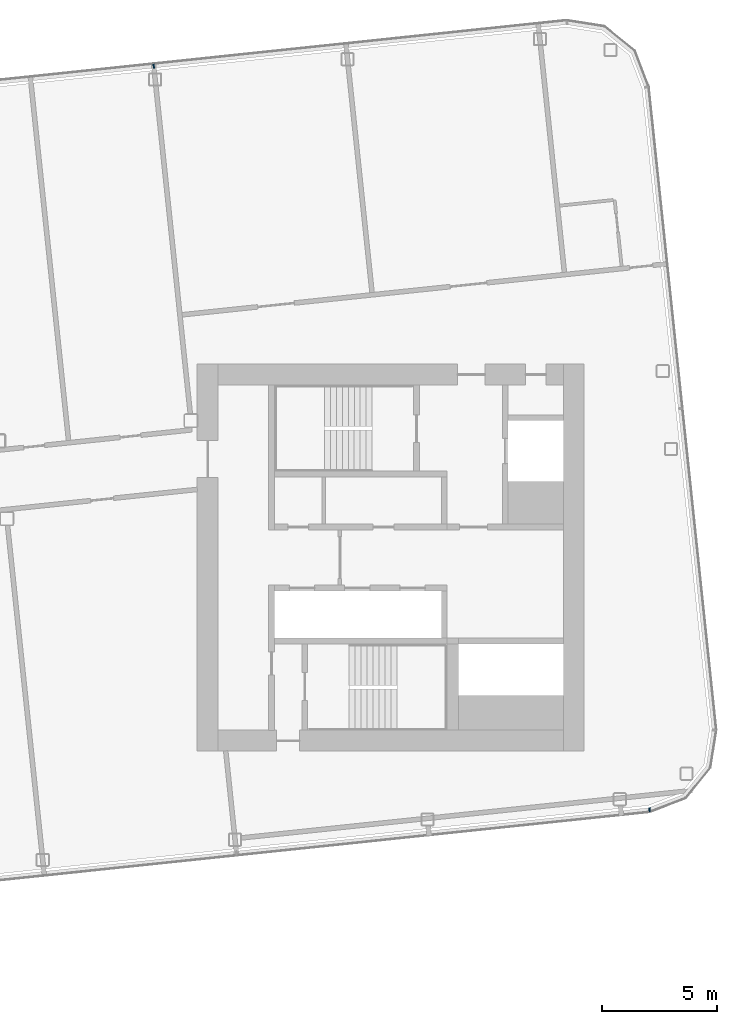
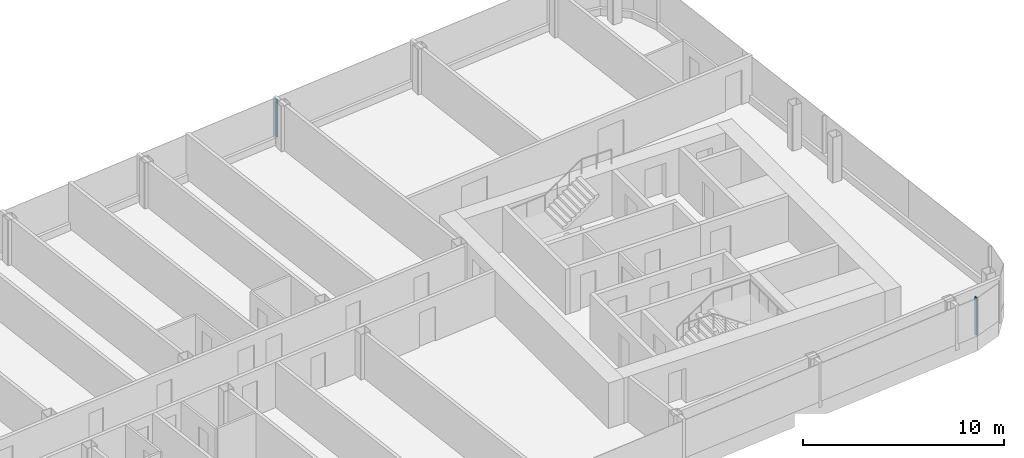
# One storey, part 11 of 27: 2 members, 2 elements without a shape of their own.
"""IFC4 building model written with IfcOpenShell, lengths in metres."""

import ifcopenshell
import ifcopenshell.guid

model = None  # the IFC model being written
_history = None  # IfcOwnerHistory: only IFC2X3 demands one
_inside = {}  # id of a spatial element -> (the spatial element, [elements in it])
_under = {}  # id of a project, library or spatial element -> (it, [spatial elements below it])
_declared = {}  # id of a project -> (the project, [libraries it declares])
_typed = {}  # id of a type object -> (the type object, [elements of that type])
_made_of = {}  # id of a material, layer set ... -> (it, [elements and type objects made of it])


def new_model(schema):
    """Start an empty IFC model of exactly this schema.

    Asked for "IFC4X3", IfcOpenShell would pick the latest addendum, in which some entities
    have other attributes; the version numbers below select the first issue.
    IFC2X3 requires an IfcOwnerHistory on every rooted entity: one is made here for all.
    """
    global model, _history
    if schema == "IFC4X3":
        model = ifcopenshell.file(schema_version=(4, 3, 0, 0))
    else:
        model = ifcopenshell.file(schema=schema)
    _inside.clear()
    _under.clear()
    _declared.clear()
    _typed.clear()
    _made_of.clear()
    _history = None
    if model.schema == "IFC2X3":
        org = make("IfcOrganization", Name="unknown")
        user = make(
            "IfcPersonAndOrganization",
            ThePerson=make("IfcPerson", FamilyName="unknown"),
            TheOrganization=org,
        )
        app = make(
            "IfcApplication",
            ApplicationDeveloper=org,
            Version="unknown",
            ApplicationFullName="unknown",
            ApplicationIdentifier="unknown",
        )
        _history = make(
            "IfcOwnerHistory",
            OwningUser=user,
            OwningApplication=app,
            ChangeAction="ADDED",
            CreationDate=0,
        )
    return model


def make(cls, **values):
    """One entity of the class cls with the attributes given. An attribute that is None is left unset."""
    return model.create_entity(
        cls, **{name: value for name, value in values.items() if value is not None}
    )


def rooted(cls, **values):
    """An entity with a GlobalId (a new one), such as an element, a storey or a relation."""
    return make(cls, GlobalId=ifcopenshell.guid.new(), OwnerHistory=_history, **values)


def si_unit(unit_type, name, prefix=None):
    """IfcSIUnit, for example si_unit("LENGTHUNIT", "METRE", prefix="MILLI")."""
    return make("IfcSIUnit", UnitType=unit_type, Prefix=prefix, Name=name)


def assignment(units):
    """IfcUnitAssignment: the units of a project."""
    return None if units is None else make("IfcUnitAssignment", Units=units)


def point(xyz):
    """IfcCartesianPoint."""
    return None if xyz is None else make("IfcCartesianPoint", Coordinates=xyz)


def direction(xyz):
    """IfcDirection."""
    return None if xyz is None else make("IfcDirection", DirectionRatios=xyz)


def frame(location, z_axis=None, x_axis=None):
    """IfcAxis2Placement3D, a coordinate frame: its origin and axes. An axis left out is left unset."""
    return make(
        "IfcAxis2Placement3D",
        Location=point(location),
        Axis=direction(z_axis),
        RefDirection=direction(x_axis),
    )


def frame_2d(location, x_axis=None):
    """IfcAxis2Placement2D, a coordinate frame in the plane: its origin and x axis."""
    return make(
        "IfcAxis2Placement2D", Location=point(location), RefDirection=direction(x_axis)
    )


def origin():
    """The frame at (0, 0, 0) with its axes left unset."""
    return frame((0.0, 0.0, 0.0))


def origin_2d():
    """The frame at (0, 0) in the plane with its x axis left unset."""
    return frame_2d((0.0, 0.0))


def place(relative_to, where):
    """IfcLocalPlacement: puts the frame where relative to a parent placement (None: the world)."""
    return make(
        "IfcLocalPlacement", PlacementRelTo=relative_to, RelativePlacement=where
    )


def context(
    kind, dimensions, precision=None, world=None, true_north=None, identifier=None
):
    """IfcGeometricRepresentationContext, for example the 3D "Model" context."""
    return make(
        "IfcGeometricRepresentationContext",
        ContextIdentifier=identifier,
        ContextType=kind,
        CoordinateSpaceDimension=dimensions,
        Precision=precision,
        WorldCoordinateSystem=world,
        TrueNorth=true_north,
    )


def subcontext(parent, identifier, kind, view, scale=None):
    """IfcGeometricRepresentationSubContext, for example "Body" below "Model"."""
    return make(
        "IfcGeometricRepresentationSubContext",
        ContextIdentifier=identifier,
        ContextType=kind,
        ParentContext=parent,
        TargetScale=scale,
        TargetView=view,
    )


def project(units=None, contexts=None):
    """IfcProject with its units and contexts."""
    return rooted(
        "IfcProject",
        Name="project",
        RepresentationContexts=contexts,
        UnitsInContext=assignment(units),
    )


def spatial(cls, under=None, at=None, **own):
    """A site, building, storey or space (cls), placed at a placement, below another one or the project."""
    s = rooted(cls, ObjectPlacement=at, **own)
    if under is not None:
        _under.setdefault(under.id(), (under, []))[1].append(s)
    return s


def profile(cls, at=None, kind="AREA", **sizes):
    """A parametric profile (cls). Its sizes go by their IFC names, for example OverallWidth=200.0."""
    return make(cls, ProfileType=kind, Position=at, **sizes)


def rectangle(**sizes):
    """IfcRectangleProfileDef."""
    return profile("IfcRectangleProfileDef", **sizes)


def extrude(swept, where, along, depth):
    """IfcExtrudedAreaSolid: the profile swept, set in the frame where, extruded along a direction by depth."""
    return make(
        "IfcExtrudedAreaSolid",
        SweptArea=swept,
        Position=where,
        ExtrudedDirection=direction(along),
        Depth=depth,
    )


def shape(context_of_items, identifier, shape_type, items):
    """IfcShapeRepresentation: the items that make up one representation, for example the "Body"."""
    return make(
        "IfcShapeRepresentation",
        ContextOfItems=context_of_items,
        RepresentationIdentifier=identifier,
        RepresentationType=shape_type,
        Items=items,
    )


def material(Name=None, Category=None):
    """IfcMaterial."""
    return make("IfcMaterial", Name=Name, Category=Category)


def layer(
    of_material, thickness, ventilated=None, Name=None, Category=None, Priority=None
):
    """IfcMaterialLayer: one layer of a wall or slab, of a material (None: an air gap)."""
    return make(
        "IfcMaterialLayer",
        Material=of_material,
        LayerThickness=thickness,
        IsVentilated=ventilated,
        Name=Name,
        Category=Category,
        Priority=Priority,
    )


def layer_set(layers, Name=None):
    """IfcMaterialLayerSet."""
    return make("IfcMaterialLayerSet", MaterialLayers=layers, LayerSetName=Name)


def material_profile(
    of_material, cross_section, Name=None, Category=None, Priority=None
):
    """IfcMaterialProfile: a cross section and its material."""
    return make(
        "IfcMaterialProfile",
        Name=Name,
        Material=of_material,
        Profile=cross_section,
        Priority=Priority,
        Category=Category,
    )


def profile_set(profiles, Name=None, composite=None):
    """IfcMaterialProfileSet."""
    return make(
        "IfcMaterialProfileSet",
        Name=Name,
        MaterialProfiles=profiles,
        CompositeProfile=composite,
    )


def made_of(thing, what):
    """Note that an element or type object is made of a material, layer set ...; save() writes the relation."""
    if what is not None:
        _made_of.setdefault(what.id(), (what, []))[1].append(thing)
    return thing


def type_object(cls, material=None, **own):
    """A type object (cls), such as IfcWallType, which elements share."""
    return made_of(rooted(cls, **own), material)


def element(
    cls,
    number,
    at=None,
    inside=None,
    cuts=None,
    type_object=None,
    material=None,
    context=None,
    identifier="Body",
    shape_type=None,
    held_by="IfcProductDefinitionShape",
    body=None,
    shapes=None,
    **own,
):
    """One element of the class cls, such as IfcWall. Its Tag is "e" and its number.

    at: its placement. inside: the storey or other place that contains it. cuts: it is an
    opening in that element (IfcRelVoidsElement). A single representation is given by context,
    identifier, shape_type and body (its items); several are given by shapes. held_by: the class
    of the entity that holds the representations. save() writes the other relations.
    """
    e = rooted(cls, Tag="e%d" % number, ObjectPlacement=at, **own)
    if body is not None:
        shapes = [shape(context, identifier, shape_type, body)]
    if shapes is not None:
        e.Representation = make(held_by, Representations=shapes)
    if inside is not None:
        _inside.setdefault(inside.id(), (inside, []))[1].append(e)
    if cuts is not None:
        rooted(
            "IfcRelVoidsElement", RelatingBuildingElement=cuts, RelatedOpeningElement=e
        )
    if type_object is not None:
        _typed.setdefault(type_object.id(), (type_object, []))[1].append(e)
    return made_of(e, material)


def aggregate(whole, parts):
    """IfcRelAggregates: a whole, such as a stair, and the parts it consists of."""
    return rooted("IfcRelAggregates", RelatingObject=whole, RelatedObjects=parts)


def save(model, path):
    """Write the relations noted so far, then the file.

    IfcRelAggregates (storeys below a building ...), IfcRelContainedInSpatialStructure (elements
    in a storey), IfcRelDefinesByType, IfcRelAssociatesMaterial and IfcRelDeclares: one each for
    every whole, place, type object, material and project.
    """
    for whole, parts in _under.values():
        aggregate(whole, parts)
    for where, things in _inside.values():
        rooted(
            "IfcRelContainedInSpatialStructure",
            RelatedElements=things,
            RelatingStructure=where,
        )
    for kind, things in _typed.values():
        rooted("IfcRelDefinesByType", RelatedObjects=things, RelatingType=kind)
    for what, things in _made_of.values():
        rooted("IfcRelAssociatesMaterial", RelatedObjects=things, RelatingMaterial=what)
    for by, libraries in _declared.values():
        rooted("IfcRelDeclares", RelatingContext=by, RelatedDefinitions=libraries)
    model.write(path)


model = new_model("IFC4")

# Units and contexts
model_context = context("Model", 3, precision=1e-05, world=origin(), true_north=direction((0.0, 1.0)))
body_context = subcontext(model_context, "Body", "Model", "MODEL_VIEW")
ifc_project = project(units=[si_unit("LENGTHUNIT", "METRE"), si_unit("AREAUNIT", "SQUARE_METRE"), si_unit("VOLUMEUNIT", "CUBIC_METRE"), si_unit("PLANEANGLEUNIT", "RADIAN"), si_unit("MASSUNIT", "GRAM", prefix="KILO")], contexts=[model_context])

# Site, building, storey
site_placement = place(None, origin())
site = spatial("IfcSite", under=ifc_project, at=site_placement, CompositionType="ELEMENT")
building_placement = place(site_placement, origin())
building = spatial("IfcBuilding", under=site, at=building_placement, Name="Hakoniwa Tower and Hamabe Station Hall", CompositionType="ELEMENT")
storey_placement = place(building_placement, frame((0.0, 0.0, 255.0)))
storey = spatial("IfcBuildingStorey", under=building, at=storey_placement, Name="L72", CompositionType="ELEMENT", Elevation=255.0)

# Curtain wall, member
ifc_material_1 = material(Name="Dark low-e laminated glass", Category="glass")
ifc_layer = layer(ifc_material_1, 0.199951171875)
ifc_layer_set = layer_set([ifc_layer], Name="CW-1 UNITISED GUEST")
curtain_wall_type = type_object("IfcCurtainWallType", Name="CW-1 UNITISED GUEST", PredefinedType="NOTDEFINED", material=ifc_layer_set)
curtain_wall_1_placement = place(storey_placement, origin())
curtain_wall_1 = element("IfcCurtainWall", 1, at=curtain_wall_1_placement, inside=storey, type_object=curtain_wall_type, Name="CW-1 curtain wall", PredefinedType="NOTDEFINED")
ifc_material_2 = material(Name="Aluminium 6063-T5 black anodised", Category="aluminium")
ifc_material_profile = material_profile(ifc_material_2, rectangle(XDim=0.06005859375, YDim=0.179931640625, at=origin_2d()), Name="CW-1 MULLION 60X180")
ifc_profile_set = profile_set([ifc_material_profile], Name="Aluminium 6063-T5 black anodised")
member_type = type_object("IfcMemberType", Name="CW-1 MULLION 60X180", PredefinedType="MULLION", material=ifc_profile_set)
member_1_placement = place(storey_placement, frame((14.911865234375, 21.343994140625, 0.35009765625), z_axis=(0.0, 0.0, 1.0), x_axis=(-0.994521895272, -0.104528464188, 0.0)))
member_1 = element("IfcMember", 2, at=member_1_placement, type_object=member_type, Name="CW-1 mullion", PredefinedType="MULLION", context=body_context, shape_type="SweptSolid", body=[
    extrude(rectangle(XDim=0.06005859375, YDim=0.179931640625, at=origin_2d()), origin(), (0.0, 0.0, 1.0), 2.2998046875),
])
aggregate(curtain_wall_1, [member_1])

curtain_wall_2_placement = place(storey_placement, origin())
curtain_wall_2 = element("IfcCurtainWall", 3, at=curtain_wall_2_placement, inside=storey, type_object=curtain_wall_type, Name="CW-1 curtain wall", PredefinedType="NOTDEFINED")
member_2_placement = place(storey_placement, frame((36.444580078125, -10.946044921875, 0.35009765625), z_axis=(0.0, 0.0, 1.0), x_axis=(0.994521895272, 0.104528464188, 0.0)))
member_2 = element("IfcMember", 4, at=member_2_placement, type_object=member_type, Name="CW-1 mullion", PredefinedType="MULLION", context=body_context, shape_type="SweptSolid", body=[
    extrude(rectangle(XDim=0.06005859375, YDim=0.179931640625, at=origin_2d()), origin(), (0.0, 0.0, 1.0), 2.2998046875),
])
aggregate(curtain_wall_2, [member_2])

save(model, "model.ifc")
